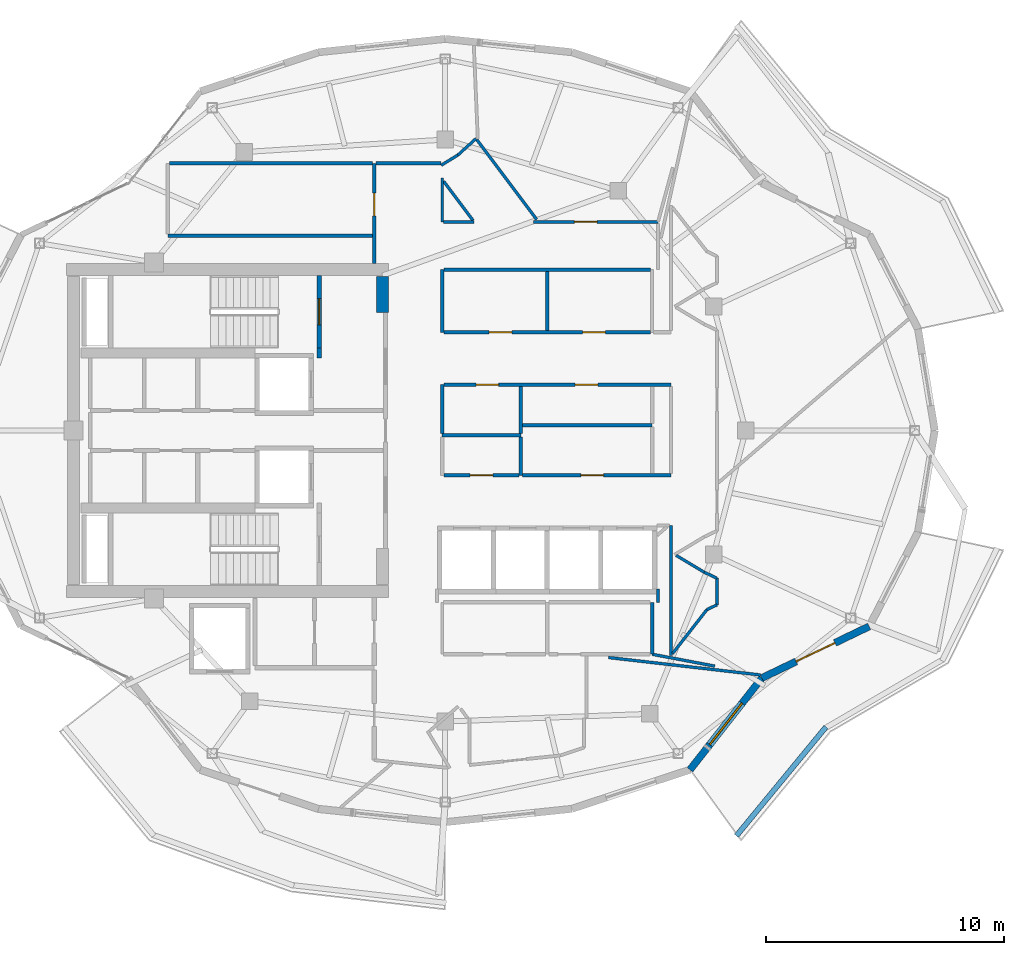
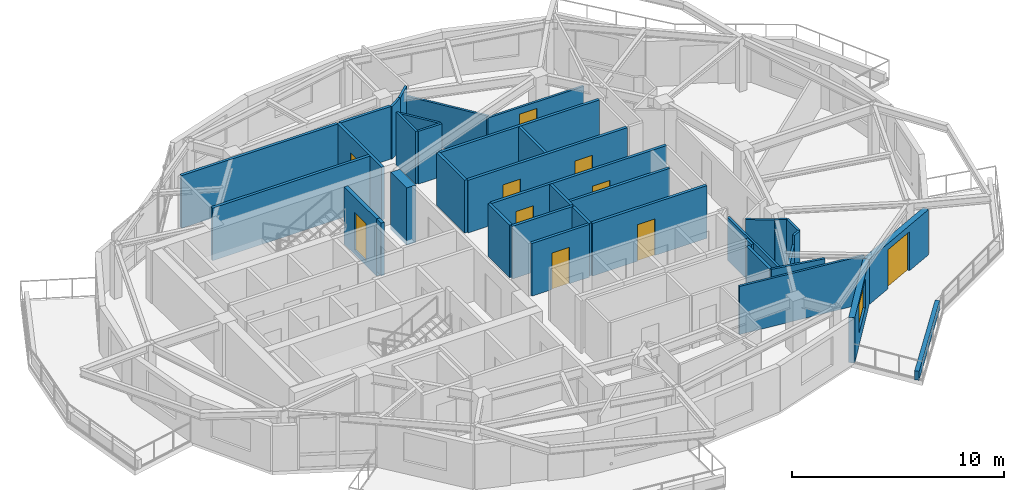
# One storey, part 10 of 14: 39 walls, 10 doors, 1 window, 11 openings.
"""IFC4 building model written with IfcOpenShell, lengths in metres."""

import ifcopenshell
import ifcopenshell.guid

model = None  # the IFC model being written
_history = None  # IfcOwnerHistory: only IFC2X3 demands one
_inside = {}  # id of a spatial element -> (the spatial element, [elements in it])
_under = {}  # id of a project, library or spatial element -> (it, [spatial elements below it])
_declared = {}  # id of a project -> (the project, [libraries it declares])
_typed = {}  # id of a type object -> (the type object, [elements of that type])
_made_of = {}  # id of a material, layer set ... -> (it, [elements and type objects made of it])


def new_model(schema):
    """Start an empty IFC model of exactly this schema.

    Asked for "IFC4X3", IfcOpenShell would pick the latest addendum, in which some entities
    have other attributes; the version numbers below select the first issue.
    IFC2X3 requires an IfcOwnerHistory on every rooted entity: one is made here for all.
    """
    global model, _history
    if schema == "IFC4X3":
        model = ifcopenshell.file(schema_version=(4, 3, 0, 0))
    else:
        model = ifcopenshell.file(schema=schema)
    _inside.clear()
    _under.clear()
    _declared.clear()
    _typed.clear()
    _made_of.clear()
    _history = None
    if model.schema == "IFC2X3":
        org = make("IfcOrganization", Name="unknown")
        user = make(
            "IfcPersonAndOrganization",
            ThePerson=make("IfcPerson", FamilyName="unknown"),
            TheOrganization=org,
        )
        app = make(
            "IfcApplication",
            ApplicationDeveloper=org,
            Version="unknown",
            ApplicationFullName="unknown",
            ApplicationIdentifier="unknown",
        )
        _history = make(
            "IfcOwnerHistory",
            OwningUser=user,
            OwningApplication=app,
            ChangeAction="ADDED",
            CreationDate=0,
        )
    return model


def make(cls, **values):
    """One entity of the class cls with the attributes given. An attribute that is None is left unset."""
    return model.create_entity(
        cls, **{name: value for name, value in values.items() if value is not None}
    )


def rooted(cls, **values):
    """An entity with a GlobalId (a new one), such as an element, a storey or a relation."""
    return make(cls, GlobalId=ifcopenshell.guid.new(), OwnerHistory=_history, **values)


def si_unit(unit_type, name, prefix=None):
    """IfcSIUnit, for example si_unit("LENGTHUNIT", "METRE", prefix="MILLI")."""
    return make("IfcSIUnit", UnitType=unit_type, Prefix=prefix, Name=name)


def assignment(units):
    """IfcUnitAssignment: the units of a project."""
    return None if units is None else make("IfcUnitAssignment", Units=units)


def point(xyz):
    """IfcCartesianPoint."""
    return None if xyz is None else make("IfcCartesianPoint", Coordinates=xyz)


def direction(xyz):
    """IfcDirection."""
    return None if xyz is None else make("IfcDirection", DirectionRatios=xyz)


def frame(location, z_axis=None, x_axis=None):
    """IfcAxis2Placement3D, a coordinate frame: its origin and axes. An axis left out is left unset."""
    return make(
        "IfcAxis2Placement3D",
        Location=point(location),
        Axis=direction(z_axis),
        RefDirection=direction(x_axis),
    )


def frame_2d(location, x_axis=None):
    """IfcAxis2Placement2D, a coordinate frame in the plane: its origin and x axis."""
    return make(
        "IfcAxis2Placement2D", Location=point(location), RefDirection=direction(x_axis)
    )


def origin():
    """The frame at (0, 0, 0) with its axes left unset."""
    return frame((0.0, 0.0, 0.0))


def place(relative_to, where):
    """IfcLocalPlacement: puts the frame where relative to a parent placement (None: the world)."""
    return make(
        "IfcLocalPlacement", PlacementRelTo=relative_to, RelativePlacement=where
    )


def context(
    kind, dimensions, precision=None, world=None, true_north=None, identifier=None
):
    """IfcGeometricRepresentationContext, for example the 3D "Model" context."""
    return make(
        "IfcGeometricRepresentationContext",
        ContextIdentifier=identifier,
        ContextType=kind,
        CoordinateSpaceDimension=dimensions,
        Precision=precision,
        WorldCoordinateSystem=world,
        TrueNorth=true_north,
    )


def subcontext(parent, identifier, kind, view, scale=None):
    """IfcGeometricRepresentationSubContext, for example "Body" below "Model"."""
    return make(
        "IfcGeometricRepresentationSubContext",
        ContextIdentifier=identifier,
        ContextType=kind,
        ParentContext=parent,
        TargetScale=scale,
        TargetView=view,
    )


def project(units=None, contexts=None):
    """IfcProject with its units and contexts."""
    return rooted(
        "IfcProject",
        Name="project",
        RepresentationContexts=contexts,
        UnitsInContext=assignment(units),
    )


def spatial(cls, under=None, at=None, **own):
    """A site, building, storey or space (cls), placed at a placement, below another one or the project."""
    s = rooted(cls, ObjectPlacement=at, **own)
    if under is not None:
        _under.setdefault(under.id(), (under, []))[1].append(s)
    return s


def profile(cls, at=None, kind="AREA", **sizes):
    """A parametric profile (cls). Its sizes go by their IFC names, for example OverallWidth=200.0."""
    return make(cls, ProfileType=kind, Position=at, **sizes)


def rectangle(**sizes):
    """IfcRectangleProfileDef."""
    return profile("IfcRectangleProfileDef", **sizes)


def extrude(swept, where, along, depth):
    """IfcExtrudedAreaSolid: the profile swept, set in the frame where, extruded along a direction by depth."""
    return make(
        "IfcExtrudedAreaSolid",
        SweptArea=swept,
        Position=where,
        ExtrudedDirection=direction(along),
        Depth=depth,
    )


def shape(context_of_items, identifier, shape_type, items):
    """IfcShapeRepresentation: the items that make up one representation, for example the "Body"."""
    return make(
        "IfcShapeRepresentation",
        ContextOfItems=context_of_items,
        RepresentationIdentifier=identifier,
        RepresentationType=shape_type,
        Items=items,
    )


def material(Name=None, Category=None):
    """IfcMaterial."""
    return make("IfcMaterial", Name=Name, Category=Category)


def layer(
    of_material, thickness, ventilated=None, Name=None, Category=None, Priority=None
):
    """IfcMaterialLayer: one layer of a wall or slab, of a material (None: an air gap)."""
    return make(
        "IfcMaterialLayer",
        Material=of_material,
        LayerThickness=thickness,
        IsVentilated=ventilated,
        Name=Name,
        Category=Category,
        Priority=Priority,
    )


def layer_set(layers, Name=None):
    """IfcMaterialLayerSet."""
    return make("IfcMaterialLayerSet", MaterialLayers=layers, LayerSetName=Name)


def made_of(thing, what):
    """Note that an element or type object is made of a material, layer set ...; save() writes the relation."""
    if what is not None:
        _made_of.setdefault(what.id(), (what, []))[1].append(thing)
    return thing


def type_object(cls, material=None, **own):
    """A type object (cls), such as IfcWallType, which elements share."""
    return made_of(rooted(cls, **own), material)


def element(
    cls,
    number,
    at=None,
    inside=None,
    cuts=None,
    type_object=None,
    material=None,
    context=None,
    identifier="Body",
    shape_type=None,
    held_by="IfcProductDefinitionShape",
    body=None,
    shapes=None,
    **own,
):
    """One element of the class cls, such as IfcWall. Its Tag is "e" and its number.

    at: its placement. inside: the storey or other place that contains it. cuts: it is an
    opening in that element (IfcRelVoidsElement). A single representation is given by context,
    identifier, shape_type and body (its items); several are given by shapes. held_by: the class
    of the entity that holds the representations. save() writes the other relations.
    """
    e = rooted(cls, Tag="e%d" % number, ObjectPlacement=at, **own)
    if body is not None:
        shapes = [shape(context, identifier, shape_type, body)]
    if shapes is not None:
        e.Representation = make(held_by, Representations=shapes)
    if inside is not None:
        _inside.setdefault(inside.id(), (inside, []))[1].append(e)
    if cuts is not None:
        rooted(
            "IfcRelVoidsElement", RelatingBuildingElement=cuts, RelatedOpeningElement=e
        )
    if type_object is not None:
        _typed.setdefault(type_object.id(), (type_object, []))[1].append(e)
    return made_of(e, material)


def fill(opening, filler):
    """IfcRelFillsElement: the door or window that sits in an opening."""
    return rooted(
        "IfcRelFillsElement",
        RelatingOpeningElement=opening,
        RelatedBuildingElement=filler,
    )


def aggregate(whole, parts):
    """IfcRelAggregates: a whole, such as a stair, and the parts it consists of."""
    return rooted("IfcRelAggregates", RelatingObject=whole, RelatedObjects=parts)


def save(model, path):
    """Write the relations noted so far, then the file.

    IfcRelAggregates (storeys below a building ...), IfcRelContainedInSpatialStructure (elements
    in a storey), IfcRelDefinesByType, IfcRelAssociatesMaterial and IfcRelDeclares: one each for
    every whole, place, type object, material and project.
    """
    for whole, parts in _under.values():
        aggregate(whole, parts)
    for where, things in _inside.values():
        rooted(
            "IfcRelContainedInSpatialStructure",
            RelatedElements=things,
            RelatingStructure=where,
        )
    for kind, things in _typed.values():
        rooted("IfcRelDefinesByType", RelatedObjects=things, RelatingType=kind)
    for what, things in _made_of.values():
        rooted("IfcRelAssociatesMaterial", RelatedObjects=things, RelatingMaterial=what)
    for by, libraries in _declared.values():
        rooted("IfcRelDeclares", RelatingContext=by, RelatedDefinitions=libraries)
    model.write(path)


model = new_model("IFC4")

# Units and contexts
model_context = context("Model", 3, precision=1e-05, world=origin(), true_north=direction((0.0, 1.0)))
body_context = subcontext(model_context, "Body", "Model", "MODEL_VIEW")
ifc_project = project(units=[si_unit("LENGTHUNIT", "METRE"), si_unit("AREAUNIT", "SQUARE_METRE"), si_unit("VOLUMEUNIT", "CUBIC_METRE"), si_unit("PLANEANGLEUNIT", "RADIAN"), si_unit("MASSUNIT", "GRAM", prefix="KILO")], contexts=[model_context])

# Site, building, storey
site_placement = place(None, origin())
site = spatial("IfcSite", under=ifc_project, at=site_placement, CompositionType="ELEMENT")
building_placement = place(site_placement, origin())
building = spatial("IfcBuilding", under=site, at=building_placement, Name="Kolvaren Gate Tower and Convention Centre", CompositionType="ELEMENT")
storey_placement = place(building_placement, frame((0.0, 0.0, 259.10009765625)))
storey = spatial("IfcBuildingStorey", under=building, at=storey_placement, Name="L70", CompositionType="ELEMENT", Elevation=259.10009765625)

# Walls
ifc_material_1 = material(Name="Autoclaved Aerated Masonry Blockwork Class 4 (4.0 MPa)", Category="masonry")
ifc_layer_1 = layer(ifc_material_1, 0.179931640625)
ifc_layer_set_1 = layer_set([ifc_layer_1], Name="Autoclaved Aerated Masonry Blockwork Class 4 (4.0 MPa)")
wall_type_1 = type_object("IfcWallType", Name="ARCH-WL-COMP-180", PredefinedType="SOLIDWALL", material=ifc_layer_set_1)
wall_1_placement = place(storey_placement, frame((24.85009765625, 30.0400390625, 0.0), z_axis=(0.0, 0.0, 1.0), x_axis=(0.0, 1.0, 0.0)))
element("IfcWall", 1, at=wall_1_placement, inside=storey, type_object=wall_type_1, Name="Interior Partition WL-L70-INT-002", PredefinedType="SOLIDWALL", context=body_context, shape_type="SweptSolid", body=[
    extrude(rectangle(XDim=0.419921875, YDim=0.179931640625, at=frame_2d((0.2099609375, 0.0))), origin(), (0.0, 0.0, 1.0), 3.02978515625),
])
ifc_material_2 = material(Name="Fire-Rated Acoustic Gypsum Stud Partition", Category="gypsum")
ifc_layer_2 = layer(ifc_material_2, 0.1201171875)
ifc_layer_set_2 = layer_set([ifc_layer_2], Name="Fire-Rated Acoustic Gypsum Stud Partition")
wall_type_2 = type_object("IfcWallType", Name="ARCH-WL-PART-120", PredefinedType="PARTITIONING", material=ifc_layer_set_2)
wall_2_placement = place(storey_placement, frame((30.0, 35.75, 0.0), z_axis=(0.0, 0.0, 1.0), x_axis=(0.0, 1.0, 0.0)))
element("IfcWall", 2, at=wall_2_placement, inside=storey, type_object=wall_type_2, Name="Interior Partition WL-L70-INT-020", PredefinedType="PARTITIONING", context=body_context, shape_type="SweptSolid", body=[
    extrude(rectangle(XDim=1.8369140625, YDim=0.1201171875, at=frame_2d((0.91845703125, 0.0))), origin(), (0.0, 0.0, 1.0), 3.02978515625),
])
wall_3_placement = place(storey_placement, frame((29.9599609375, 38.123046875, 0.0), z_axis=(0.0, 0.0, 1.0), x_axis=(0.852506956574, 0.522715877885, 0.0)))
element("IfcWall", 3, at=wall_3_placement, inside=storey, type_object=wall_type_2, Name="Interior Partition WL-L70-INT-037", PredefinedType="PARTITIONING", context=body_context, shape_type="SweptSolid", body=[
    extrude(rectangle(XDim=0.81884765625, YDim=0.1201171875, at=frame_2d((0.409423828125, 0.0))), origin(), (0.0, 0.0, 1.0), 3.02978515625),
])
wall_4_placement = place(storey_placement, frame((30.657958984375, 38.551025390625, 0.0), z_axis=(0.0, 0.0, 1.0), x_axis=(0.74084279818, 0.671678456097, 0.0)))
element("IfcWall", 4, at=wall_4_placement, inside=storey, type_object=wall_type_2, Name="Interior Partition WL-L70-INT-038", PredefinedType="PARTITIONING", context=body_context, shape_type="SweptSolid", body=[
    extrude(rectangle(XDim=1.027099609375, YDim=0.1201171875, at=frame_2d((0.513671875, 0.0))), origin(), (0.0, 0.0, 1.0), 3.02978515625),
])
wall_5_placement = place(storey_placement, frame((31.456298828125, 39.191162109375, 0.0), z_axis=(0.0, 0.0, 1.0), x_axis=(0.600056078533, -0.799957938029, 0.0)))
element("IfcWall", 5, at=wall_5_placement, inside=storey, type_object=wall_type_2, Name="Interior Partition WL-L70-INT-039", PredefinedType="PARTITIONING", context=body_context, shape_type="SweptSolid", body=[
    extrude(rectangle(XDim=4.17919921875, YDim=0.1201171875, at=frame_2d((2.089599609375, 0.0))), origin(), (0.0, 0.0, 1.0), 2.477783203125),
])
wall_6_placement = place(storey_placement, frame((30.06201171875, 35.75, 0.0), z_axis=(0.0, 0.0, 1.0), x_axis=(1.0, 0.0, 0.0)))
element("IfcWall", 6, at=wall_6_placement, inside=storey, type_object=wall_type_2, Name="Interior Partition WL-L70-INT-040", PredefinedType="PARTITIONING", context=body_context, shape_type="SweptSolid", body=[
    extrude(rectangle(XDim=1.27490234375, YDim=0.1201171875, at=frame_2d((0.637451171875, 0.0))), origin(), (0.0, 0.0, 1.0), 3.02978515625),
])

# Wall, opening, door
wall_7_placement = place(storey_placement, frame((33.8330078125, 35.75, 0.0), z_axis=(0.0, 0.0, 1.0), x_axis=(1.0, 0.0, 0.0)))
wall_7 = element("IfcWall", 7, at=wall_7_placement, inside=storey, type_object=wall_type_2, Name="Interior Partition WL-L70-INT-041", PredefinedType="PARTITIONING", context=body_context, shape_type="SweptSolid", body=[
    extrude(rectangle(XDim=5.217041015625, YDim=0.1201171875, at=frame_2d((2.6083984375, 0.0))), origin(), (0.0, 0.0, 1.0), 2.477783203125),
])
opening_1_placement = place(wall_7_placement, frame((1.71337890625, 0.0, 0.0)))
opening_1 = element("IfcOpeningElement", 8, at=opening_1_placement, cuts=wall_7, Name="Opening DR-01", PredefinedType="OPENING", context=body_context, shape_type="SweptSolid", body=[
    extrude(rectangle(XDim=0.949951171875, YDim=2.10009765625, at=frame_2d((0.47509765625, 1.050048828125))), frame((0.0, 0.070068359375, 0.0), z_axis=(0.0, -1.0, 0.0), x_axis=(1.0, 0.0, 0.0)), (0.0, 0.0, 1.0), 0.14013671875),
])
ifc_material_3 = material(Name="Painted Architectural Steelwork ASTM A500 Grade C 345 MPa", Category="steel")
door_type_1 = type_object("IfcDoorType", Name="ARCH-DR-RISER-950", OperationType="SINGLE_SWING_RIGHT", PredefinedType="DOOR", material=ifc_material_3)
door_1_placement = place(opening_1_placement, origin())
door_1 = element("IfcDoor", 9, at=door_1_placement, inside=storey, type_object=door_type_1, Name="Crown Executive Office Door", OperationType="SINGLE_SWING_LEFT", OverallHeight=2.10009765625, OverallWidth=0.949951171875, PredefinedType="DOOR", context=body_context, shape_type="SweptSolid", body=[
    extrude(rectangle(XDim=0.949951171875, YDim=2.10009765625, at=frame_2d((0.47509765625, 1.050048828125))), frame((0.0, 0.02490234375, 0.0), z_axis=(0.0, -1.0, 0.0), x_axis=(1.0, 0.0, 0.0)), (0.0, 0.0, 1.0), 0.050048828125),
])
fill(opening_1, door_1)

# Walls
wall_8_placement = place(storey_placement, frame((39.050048828125, 19.800048828125, 0.0), z_axis=(0.0, 0.0, 1.0), x_axis=(0.0, 1.0, 0.0)))
element("IfcWall", 10, at=wall_8_placement, inside=storey, type_object=wall_type_2, Name="Interior Partition WL-L70-INT-042", PredefinedType="PARTITIONING", context=body_context, shape_type="SweptSolid", body=[
    extrude(rectangle(XDim=0.56005859375, YDim=0.1201171875, at=frame_2d((0.280029296875, 0.0))), origin(), (0.0, 0.0, 1.0), 3.02978515625),
])
wall_9_placement = place(storey_placement, frame((39.60009765625, 17.572998046875, 0.0), z_axis=(0.0, 0.0, 1.0), x_axis=(0.0, 1.0, 0.0)))
element("IfcWall", 11, at=wall_9_placement, inside=storey, type_object=wall_type_2, Name="Interior Partition WL-L70-INT-044", PredefinedType="PARTITIONING", context=body_context, shape_type="SweptSolid", body=[
    extrude(rectangle(XDim=5.447021484375, YDim=0.1201171875, at=frame_2d((2.7236328125, 0.0))), origin(), (0.0, 0.0, 1.0), 2.477783203125),
])
wall_10_placement = place(storey_placement, frame((41.52001953125, 19.69091796875, 0.0), z_axis=(0.0, 0.0, 1.0), x_axis=(0.0, 1.0, 0.0)))
element("IfcWall", 12, at=wall_10_placement, inside=storey, type_object=wall_type_2, Name="Interior Partition WL-L70-INT-049", PredefinedType="PARTITIONING", context=body_context, shape_type="SweptSolid", body=[
    extrude(rectangle(XDim=1.115966796875, YDim=0.1201171875, at=frame_2d((0.55810546875, 0.0))), origin(), (0.0, 0.0, 1.0), 3.02978515625),
])
wall_11_placement = place(storey_placement, frame((39.810302734375, 21.763916015625, 0.0), z_axis=(0.0, 0.0, 1.0), x_axis=(0.858011245414, -0.513630901273, 0.0)))
element("IfcWall", 13, at=wall_11_placement, inside=storey, type_object=wall_type_2, Name="Interior Partition WL-L70-INT-058", PredefinedType="PARTITIONING", context=body_context, shape_type="SweptSolid", body=[
    extrude(rectangle(XDim=1.370361328125, YDim=0.1201171875, at=frame_2d((0.68505859375, 0.0))), origin(), (0.0, 0.0, 1.0), 3.02978515625),
])
wall_12_placement = place(storey_placement, frame((40.986083984375, 21.06005859375, 0.0), z_axis=(0.0, 0.0, 1.0), x_axis=(0.90356951601, -0.428441512621, 0.0)))
element("IfcWall", 14, at=wall_12_placement, inside=storey, type_object=wall_type_2, Name="Interior Partition WL-L70-INT-059", PredefinedType="PARTITIONING", context=body_context, shape_type="SweptSolid", body=[
    extrude(rectangle(XDim=0.5908203125, YDim=0.1201171875, at=frame_2d((0.29541015625, 0.0))), origin(), (0.0, 0.0, 1.0), 3.02978515625),
])
wall_13_placement = place(storey_placement, frame((41.10009765625, 19.489990234375, 0.0), z_axis=(0.0, 0.0, 1.0), x_axis=(0.902054328377, 0.431622507125, 0.0)))
element("IfcWall", 15, at=wall_13_placement, inside=storey, type_object=wall_type_2, Name="Interior Partition WL-L70-INT-060", PredefinedType="PARTITIONING", context=body_context, shape_type="SweptSolid", body=[
    extrude(rectangle(XDim=0.465576171875, YDim=0.1201171875, at=frame_2d((0.23291015625, 0.0))), origin(), (0.0, 0.0, 1.0), 3.02978515625),
])
wall_14_placement = place(storey_placement, frame((39.662109375, 17.652099609375, 0.0), z_axis=(0.0, 0.0, 1.0), x_axis=(0.616212345115, 0.78758005671, 0.0)))
element("IfcWall", 16, at=wall_14_placement, inside=storey, type_object=wall_type_2, Name="Interior Partition WL-L70-INT-061", PredefinedType="PARTITIONING", context=body_context, shape_type="SweptSolid", body=[
    extrude(rectangle(XDim=2.33349609375, YDim=0.1201171875, at=frame_2d((1.166748046875, 0.0))), origin(), (0.0, 0.0, 1.0), 2.477783203125),
])
wall_15_placement = place(storey_placement, frame((30.06201171875, 37.450927734375, 0.0), z_axis=(0.0, 0.0, 1.0), x_axis=(0.599790195836, -0.800157310145, 0.0)))
element("IfcWall", 17, at=wall_15_placement, inside=storey, type_object=wall_type_2, Name="Interior Partition WL-L70-INT-072", PredefinedType="PARTITIONING", context=body_context, shape_type="SweptSolid", body=[
    extrude(rectangle(XDim=2.04833984375, YDim=0.1201171875, at=frame_2d((1.024169921875, 0.0))), origin(), (0.0, 0.0, 1.0), 3.02978515625),
])
wall_16_placement = place(storey_placement, frame((36.972412109375, 17.48291015625, 0.0), z_axis=(0.0, 0.0, 1.0), x_axis=(0.993465006101, -0.114137117773, 0.0)))
element("IfcWall", 18, at=wall_16_placement, inside=storey, type_object=wall_type_2, Name="Interior Partition WL-L70-INT-077", PredefinedType="PARTITIONING", context=body_context, shape_type="SweptSolid", body=[
    extrude(rectangle(XDim=6.412841796875, YDim=0.1201171875, at=frame_2d((3.20654296875, 0.0))), origin(), (0.0, 0.0, 1.0), 2.77001953125),
])
wall_17_placement = place(storey_placement, frame((38.800048828125, 17.6201171875, 0.0), z_axis=(0.0, 0.0, 1.0), x_axis=(0.982513005499, -0.186193968823, 0.0)))
element("IfcWall", 19, at=wall_17_placement, inside=storey, type_object=wall_type_2, Name="Interior Partition WL-L70-INT-078", PredefinedType="PARTITIONING", context=body_context, shape_type="SweptSolid", body=[
    extrude(rectangle(XDim=2.67626953125, YDim=0.1201171875, at=frame_2d((1.338134765625, 0.0))), origin(), (0.0, 0.0, 1.0), 3.02978515625),
])
ifc_material_4 = material(Name="Piedmont Cream Honed Limestone Cladding", Category="masonry")
ifc_layer_3 = layer(ifc_material_4, 0.219970703125)
ifc_layer_set_3 = layer_set([ifc_layer_3], Name="Piedmont Cream Honed Limestone Cladding")
wall_type_3 = type_object("IfcWallType", Name="ARCH-WL-PLANTER-220", PredefinedType="PARAPET", material=ifc_layer_set_3)
wall_18_placement = place(storey_placement, frame((42.338623046875, 10.010009765625, 0.0), z_axis=(0.0, 0.0, 1.0), x_axis=(0.635450933862, 0.772141250455, 0.0)))
element("IfcWall", 20, at=wall_18_placement, inside=storey, type_object=wall_type_3, Name="Vertical-Forest Balcony Stone Planter Kerb PK-L70-4.1", PredefinedType="PARAPET", context=body_context, shape_type="SweptSolid", body=[
    extrude(rectangle(XDim=5.91015625, YDim=0.219970703125, at=frame_2d((2.955078125, 0.0))), origin(), (0.0, 0.0, 1.0), 0.52001953125),
])

# Wall, opening, window
ifc_layer_4 = layer(ifc_material_4, 0.300048828125)
ifc_layer_set_4 = layer_set([ifc_layer_4], Name="Piedmont Cream Honed Limestone Cladding")
wall_type_4 = type_object("IfcWallType", Name="ARCH-WL-STONE-300", PredefinedType="SOLIDWALL", material=ifc_layer_set_4)
wall_19_placement = place(storey_placement, frame((40.390625, 12.775390625, 0.0), z_axis=(0.0, 0.0, 1.0), x_axis=(0.616413297421, 0.78742278781, 0.0)))
wall_19 = element("IfcWall", 21, at=wall_19_placement, inside=storey, type_object=wall_type_4, Name="Tower L70 Honed Stone Spandrel Wall EW-20", PredefinedType="SOLIDWALL", context=body_context, shape_type="SweptSolid", body=[
    extrude(rectangle(XDim=4.88818359375, YDim=0.300048828125, at=frame_2d((2.444091796875, 0.0))), origin(), (0.0, 0.0, 1.0), 2.60498046875),
])
opening_2_placement = place(wall_19_placement, frame((1.343994140625, 0.0, 0.719970703125)))
opening_2 = element("IfcOpeningElement", 22, at=opening_2_placement, cuts=wall_19, Name="Opening W-03", PredefinedType="OPENING", context=body_context, shape_type="SweptSolid", body=[
    extrude(rectangle(XDim=2.199951171875, YDim=1.64990234375, at=frame_2d((1.10009765625, 0.824951171875))), frame((0.0, 0.159912109375, 0.0), z_axis=(0.0, -1.0, 0.0), x_axis=(1.0, 0.0, 0.0)), (0.0, 0.0, 1.0), 0.320068359375),
])
ifc_material_5 = material(Name="Low-E Triple Insulated Glazing Unit 44 mm", Category="glass")
window_type = type_object("IfcWindowType", Name="ARCH-WN-RES-2200", PartitioningType="SINGLE_PANEL", PredefinedType="WINDOW", material=ifc_material_5)
window_placement = place(opening_2_placement, origin())
window = element("IfcWindow", 23, at=window_placement, inside=storey, type_object=window_type, Name="Tower L70 Punched Stone Facade Window W-20", OverallHeight=1.64990234375, OverallWidth=2.199951171875, PartitioningType="SINGLE_PANEL", PredefinedType="WINDOW", context=body_context, shape_type="SweptSolid", body=[
    extrude(rectangle(XDim=2.199951171875, YDim=1.64990234375, at=frame_2d((1.10009765625, 0.824951171875))), frame((0.0, 0.030029296875, 0.0), z_axis=(0.0, -1.0, 0.0), x_axis=(1.0, 0.0, 0.0)), (0.0, 0.0, 1.0), 0.06005859375),
])
fill(opening_2, window)

# Wall, opening, door
wall_20_placement = place(storey_placement, frame((43.40380859375, 16.62451171875, 0.0), z_axis=(0.0, 0.0, 1.0), x_axis=(0.901346013132, 0.433099716706, 0.0)))
wall_20 = element("IfcWall", 24, at=wall_20_placement, inside=storey, type_object=wall_type_4, Name="Tower L70 Honed Stone Spandrel Wall EW-21", PredefinedType="SOLIDWALL", context=body_context, shape_type="SweptSolid", body=[
    extrude(rectangle(XDim=4.994384765625, YDim=0.300048828125, at=frame_2d((2.4970703125, 0.0))), origin(), (0.0, 0.0, 1.0), 2.60498046875),
])
opening_3_placement = place(wall_20_placement, frame((1.596923828125, 0.0, 0.0)))
opening_3 = element("IfcOpeningElement", 25, at=opening_3_placement, cuts=wall_20, Name="Opening DB-01", PredefinedType="OPENING", context=body_context, shape_type="SweptSolid", body=[
    extrude(rectangle(XDim=1.800048828125, YDim=2.25, at=frame_2d((0.89990234375, 1.125))), frame((0.0, 0.159912109375, 0.0), z_axis=(0.0, -1.0, 0.0), x_axis=(1.0, 0.0, 0.0)), (0.0, 0.0, 1.0), 0.320068359375),
])
ifc_material_6 = material(Name="Anodized Architectural Aluminium Alloy 6063-T6", Category="aluminium")
door_type_2 = type_object("IfcDoorType", Name="ARCH-DR-BALC-1800", OperationType="SLIDING_TO_LEFT", PredefinedType="DOOR", material=ifc_material_6)
door_2_placement = place(opening_3_placement, frame((1.800048828125, 0.0, 0.0), z_axis=(0.0, 0.0, 1.0), x_axis=(-1.0, 0.0, 0.0)))
door_2 = element("IfcDoor", 26, at=door_2_placement, inside=storey, type_object=door_type_2, Name="Planted Sky Terrace Access Door DB-L70-21", OperationType="SLIDING_TO_LEFT", OverallHeight=2.25, OverallWidth=1.800048828125, PredefinedType="DOOR", context=body_context, shape_type="SweptSolid", body=[
    extrude(rectangle(XDim=1.800048828125, YDim=2.25, at=frame_2d((0.89990234375, 1.125))), frame((0.0, 0.02490234375, 0.0), z_axis=(0.0, -1.0, 0.0), x_axis=(1.0, 0.0, 0.0)), (0.0, 0.0, 1.0), 0.050048828125),
])
fill(opening_3, door_2)

ifc_material_7 = material(Name="Moisture-Resistant Cement-Board Acoustic Partition", Category="gypsum")
ifc_layer_5 = layer(ifc_material_7, 0.14990234375)
ifc_layer_set_5 = layer_set([ifc_layer_5], Name="Moisture-Resistant Cement-Board Acoustic Partition")
wall_type_5 = type_object("IfcWallType", Name="ARCH-WL-WET-150", PredefinedType="PARTITIONING", material=ifc_layer_set_5)
wall_21_placement = place(storey_placement, frame((27.14990234375, 34.001953125, 0.0), z_axis=(0.0, 0.0, 1.0), x_axis=(0.0, 1.0, 0.0)))
wall_21 = element("IfcWall", 27, at=wall_21_placement, inside=storey, type_object=wall_type_5, Name="Interior Partition WL-L70-INT-015", PredefinedType="PARTITIONING", context=body_context, shape_type="SweptSolid", body=[
    extrude(rectangle(XDim=4.197998046875, YDim=0.14990234375, at=frame_2d((2.09912109375, 0.0))), origin(), (0.0, 0.0, 1.0), 3.02978515625),
])
opening_4_placement = place(wall_21_placement, frame((1.998046875, 0.0, 0.0)))
opening_4 = element("IfcOpeningElement", 28, at=opening_4_placement, cuts=wall_21, Name="Opening DR-01", PredefinedType="OPENING", context=body_context, shape_type="SweptSolid", body=[
    extrude(rectangle(XDim=0.949951171875, YDim=2.10009765625, at=frame_2d((0.47509765625, 1.050048828125))), frame((0.0, 0.0849609375, 0.0), z_axis=(0.0, -1.0, 0.0), x_axis=(1.0, 0.0, 0.0)), (0.0, 0.0, 1.0), 0.169921875),
])
door_3_placement = place(opening_4_placement, origin())
door_3 = element("IfcDoor", 29, at=door_3_placement, inside=storey, type_object=door_type_1, Name="Reclaimed North Resident Store Door", OperationType="SINGLE_SWING_LEFT", OverallHeight=2.10009765625, OverallWidth=0.949951171875, PredefinedType="DOOR", context=body_context, shape_type="SweptSolid", body=[
    extrude(rectangle(XDim=0.949951171875, YDim=2.10009765625, at=frame_2d((0.47509765625, 1.050048828125))), frame((0.0, 0.02490234375, 0.0), z_axis=(0.0, -1.0, 0.0), x_axis=(1.0, 0.0, 0.0)), (0.0, 0.0, 1.0), 0.050048828125),
])
fill(opening_4, door_3)

# Walls
wall_22_placement = place(storey_placement, frame((30.0, 26.800048828125, 0.0), z_axis=(0.0, 0.0, 1.0), x_axis=(1.0, 0.0, 0.0)))
element("IfcWall", 30, at=wall_22_placement, inside=storey, type_object=wall_type_5, Name="Interior Partition WL-L70-INT-016", PredefinedType="PARTITIONING", context=body_context, shape_type="SweptSolid", body=[
    extrude(rectangle(XDim=3.300048828125, YDim=0.14990234375, at=frame_2d((1.64990234375, 0.0))), origin(), (0.0, 0.0, 1.0), 3.02978515625),
])
wall_23_placement = place(storey_placement, frame((30.0, 26.876953125, 0.0), z_axis=(0.0, 0.0, 1.0), x_axis=(0.0, 1.0, 0.0)))
element("IfcWall", 31, at=wall_23_placement, inside=storey, type_object=wall_type_5, Name="Interior Partition WL-L70-INT-018 (2)", PredefinedType="PARTITIONING", context=body_context, shape_type="SweptSolid", body=[
    extrude(rectangle(XDim=2.04296875, YDim=0.14990234375, at=frame_2d((1.021484375, 0.0))), origin(), (0.0, 0.0, 1.0), 3.02978515625),
])
wall_24_placement = place(storey_placement, frame((30.0, 31.1201171875, 0.0), z_axis=(0.0, 0.0, 1.0), x_axis=(0.0, 1.0, 0.0)))
element("IfcWall", 32, at=wall_24_placement, inside=storey, type_object=wall_type_5, Name="Interior Partition WL-L70-INT-019", PredefinedType="PARTITIONING", context=body_context, shape_type="SweptSolid", body=[
    extrude(rectangle(XDim=2.6298828125, YDim=0.14990234375, at=frame_2d((1.31494140625, 0.0))), origin(), (0.0, 0.0, 1.0), 3.02978515625),
])

# Wall, openings, doors
wall_25_placement = place(storey_placement, frame((30.076904296875, 28.919921875, 0.0), z_axis=(0.0, 0.0, 1.0), x_axis=(1.0, 0.0, 0.0)))
wall_25 = element("IfcWall", 33, at=wall_25_placement, inside=storey, type_object=wall_type_5, Name="Interior Partition WL-L70-INT-021", PredefinedType="PARTITIONING", context=body_context, shape_type="SweptSolid", body=[
    extrude(rectangle(XDim=9.523193359375, YDim=0.14990234375, at=frame_2d((4.76171875, 0.0))), origin(), (0.0, 0.0, 1.0), 3.02978515625),
])
opening_5_placement = place(wall_25_placement, frame((1.341552734375, 0.0, 0.0)))
opening_5 = element("IfcOpeningElement", 34, at=opening_5_placement, cuts=wall_25, Name="Opening DR-01", PredefinedType="OPENING", context=body_context, shape_type="SweptSolid", body=[
    extrude(rectangle(XDim=0.949951171875, YDim=2.10009765625, at=frame_2d((0.47509765625, 1.050048828125))), frame((0.0, 0.0849609375, 0.0), z_axis=(0.0, -1.0, 0.0), x_axis=(1.0, 0.0, 0.0)), (0.0, 0.0, 1.0), 0.169921875),
])
opening_6_placement = place(wall_25_placement, frame((5.498046875, 0.0, 0.0)))
opening_6 = element("IfcOpeningElement", 35, at=opening_6_placement, cuts=wall_25, Name="Opening DR-01", PredefinedType="OPENING", context=body_context, shape_type="SweptSolid", body=[
    extrude(rectangle(XDim=0.949951171875, YDim=2.10009765625, at=frame_2d((0.47509765625, 1.050048828125))), frame((0.0, 0.0849609375, 0.0), z_axis=(0.0, -1.0, 0.0), x_axis=(1.0, 0.0, 0.0)), (0.0, 0.0, 1.0), 0.169921875),
])
door_4_placement = place(opening_5_placement, origin())
door_4 = element("IfcDoor", 36, at=door_4_placement, inside=storey, type_object=door_type_1, Name="Accessible North Washroom Door", OperationType="SINGLE_SWING_LEFT", OverallHeight=2.10009765625, OverallWidth=0.949951171875, PredefinedType="DOOR", context=body_context, shape_type="SweptSolid", body=[
    extrude(rectangle(XDim=0.949951171875, YDim=2.10009765625, at=frame_2d((0.47509765625, 1.050048828125))), frame((0.0, 0.02490234375, 0.0), z_axis=(0.0, -1.0, 0.0), x_axis=(1.0, 0.0, 0.0)), (0.0, 0.0, 1.0), 0.050048828125),
])
fill(opening_5, door_4)
door_5_placement = place(opening_6_placement, origin())
door_5 = element("IfcDoor", 37, at=door_5_placement, inside=storey, type_object=door_type_1, Name="Floor Janitor and Supply Store Door", OperationType="SINGLE_SWING_LEFT", OverallHeight=2.10009765625, OverallWidth=0.949951171875, PredefinedType="DOOR", context=body_context, shape_type="SweptSolid", body=[
    extrude(rectangle(XDim=0.949951171875, YDim=2.10009765625, at=frame_2d((0.47509765625, 1.050048828125))), frame((0.0, 0.02490234375, 0.0), z_axis=(0.0, -1.0, 0.0), x_axis=(1.0, 0.0, 0.0)), (0.0, 0.0, 1.0), 0.050048828125),
])
fill(opening_6, door_5)

# Walls
wall_26_placement = place(storey_placement, frame((33.300048828125, 25.1201171875, 0.0), z_axis=(0.0, 0.0, 1.0), x_axis=(0.0, 1.0, 0.0)))
element("IfcWall", 38, at=wall_26_placement, inside=storey, type_object=wall_type_5, Name="Interior Partition WL-L70-INT-022", PredefinedType="PARTITIONING", context=body_context, shape_type="SweptSolid", body=[
    extrude(rectangle(XDim=1.602783203125, YDim=0.14990234375, at=frame_2d((0.80126953125, 0.0))), origin(), (0.0, 0.0, 1.0), 3.02978515625),
])
wall_27_placement = place(storey_placement, frame((33.300048828125, 26.876953125, 0.0), z_axis=(0.0, 0.0, 1.0), x_axis=(0.0, 1.0, 0.0)))
element("IfcWall", 39, at=wall_27_placement, inside=storey, type_object=wall_type_5, Name="Interior Partition WL-L70-INT-022 (2)", PredefinedType="PARTITIONING", context=body_context, shape_type="SweptSolid", body=[
    extrude(rectangle(XDim=1.966064453125, YDim=0.14990234375, at=frame_2d((0.98291015625, 0.0))), origin(), (0.0, 0.0, 1.0), 3.02978515625),
])

# Wall, opening, door
wall_28_placement = place(storey_placement, frame((30.076904296875, 25.1201171875, 0.0), z_axis=(0.0, 0.0, 1.0), x_axis=(1.0, 0.0, 0.0)))
wall_28 = element("IfcWall", 40, at=wall_28_placement, inside=storey, type_object=wall_type_5, Name="Interior Partition WL-L70-INT-023", PredefinedType="PARTITIONING", context=body_context, shape_type="SweptSolid", body=[
    extrude(rectangle(XDim=3.14599609375, YDim=0.14990234375, at=frame_2d((1.572998046875, 0.0))), origin(), (0.0, 0.0, 1.0), 3.02978515625),
])
opening_7_placement = place(wall_28_placement, frame((1.097900390625, 0.0, 0.0)))
opening_7 = element("IfcOpeningElement", 41, at=opening_7_placement, cuts=wall_28, Name="Opening DR-01", PredefinedType="OPENING", context=body_context, shape_type="SweptSolid", body=[
    extrude(rectangle(XDim=0.949951171875, YDim=2.10009765625, at=frame_2d((0.47509765625, 1.050048828125))), frame((0.0, 0.0849609375, 0.0), z_axis=(0.0, -1.0, 0.0), x_axis=(1.0, 0.0, 0.0)), (0.0, 0.0, 1.0), 0.169921875),
])
door_6_placement = place(opening_7_placement, origin())
door_6 = element("IfcDoor", 42, at=door_6_placement, inside=storey, type_object=door_type_1, Name="South Visitor Washroom Door", OperationType="SINGLE_SWING_RIGHT", OverallHeight=2.10009765625, OverallWidth=0.949951171875, PredefinedType="DOOR", context=body_context, shape_type="SweptSolid", body=[
    extrude(rectangle(XDim=0.949951171875, YDim=2.10009765625, at=frame_2d((0.47509765625, 1.050048828125))), frame((0.0, 0.02490234375, 0.0), z_axis=(0.0, -1.0, 0.0), x_axis=(1.0, 0.0, 0.0)), (0.0, 0.0, 1.0), 0.050048828125),
])
fill(opening_7, door_6)

wall_29_placement = place(storey_placement, frame((33.376953125, 25.1201171875, 0.0), z_axis=(0.0, 0.0, 1.0), x_axis=(1.0, 0.0, 0.0)))
wall_29 = element("IfcWall", 43, at=wall_29_placement, inside=storey, type_object=wall_type_5, Name="Interior Partition WL-L70-INT-023 (2)", PredefinedType="PARTITIONING", context=body_context, shape_type="SweptSolid", body=[
    extrude(rectangle(XDim=6.22314453125, YDim=0.14990234375, at=frame_2d((3.111572265625, 0.0))), origin(), (0.0, 0.0, 1.0), 3.02978515625),
])
opening_8_placement = place(wall_29_placement, frame((2.44140625, 0.0, 0.0)))
opening_8 = element("IfcOpeningElement", 44, at=opening_8_placement, cuts=wall_29, Name="Opening DR-01", PredefinedType="OPENING", context=body_context, shape_type="SweptSolid", body=[
    extrude(rectangle(XDim=0.949951171875, YDim=2.10009765625, at=frame_2d((0.47509765625, 1.050048828125))), frame((0.0, 0.0849609375, 0.0), z_axis=(0.0, -1.0, 0.0), x_axis=(1.0, 0.0, 0.0)), (0.0, 0.0, 1.0), 0.169921875),
])
door_7_placement = place(opening_8_placement, origin())
door_7 = element("IfcDoor", 45, at=door_7_placement, inside=storey, type_object=door_type_1, Name="Floor Coffee Pantry Door", OperationType="SINGLE_SWING_RIGHT", OverallHeight=2.10009765625, OverallWidth=0.949951171875, PredefinedType="DOOR", context=body_context, shape_type="SweptSolid", body=[
    extrude(rectangle(XDim=0.949951171875, YDim=2.10009765625, at=frame_2d((0.47509765625, 1.050048828125))), frame((0.0, 0.02490234375, 0.0), z_axis=(0.0, -1.0, 0.0), x_axis=(1.0, 0.0, 0.0)), (0.0, 0.0, 1.0), 0.050048828125),
])
fill(opening_8, door_7)

# Walls
wall_30_placement = place(storey_placement, frame((33.376953125, 27.219970703125, 0.0), z_axis=(0.0, 0.0, 1.0), x_axis=(1.0, 0.0, 0.0)))
element("IfcWall", 46, at=wall_30_placement, inside=storey, type_object=wall_type_5, Name="Interior Partition WL-L70-INT-024", PredefinedType="PARTITIONING", context=body_context, shape_type="SweptSolid", body=[
    extrude(rectangle(XDim=5.423095703125, YDim=0.14990234375, at=frame_2d((2.71142578125, 0.0))), origin(), (0.0, 0.0, 1.0), 3.02978515625),
])
wall_31_placement = place(storey_placement, frame((38.800048828125, 17.6201171875, 0.0), z_axis=(0.0, 0.0, 1.0), x_axis=(0.0, 1.0, 0.0)))
element("IfcWall", 47, at=wall_31_placement, inside=storey, type_object=wall_type_5, Name="Interior Partition WL-L70-INT-025", PredefinedType="PARTITIONING", context=body_context, shape_type="SweptSolid", body=[
    extrude(rectangle(XDim=2.179931640625, YDim=0.14990234375, at=frame_2d((1.08984375, 0.0))), origin(), (0.0, 0.0, 1.0), 3.02978515625),
])

# Wall, openings, doors
wall_32_placement = place(storey_placement, frame((30.076904296875, 31.1201171875, 0.0), z_axis=(0.0, 0.0, 1.0), x_axis=(1.0, 0.0, 0.0)))
wall_32 = element("IfcWall", 48, at=wall_32_placement, inside=storey, type_object=wall_type_5, Name="Interior Partition WL-L70-INT-028", PredefinedType="PARTITIONING", context=body_context, shape_type="SweptSolid", body=[
    extrude(rectangle(XDim=8.6611328125, YDim=0.14990234375, at=frame_2d((4.33056640625, 0.0))), origin(), (0.0, 0.0, 1.0), 3.02978515625),
])
opening_9_placement = place(wall_32_placement, frame((1.8916015625, 0.0, 0.0)))
opening_9 = element("IfcOpeningElement", 49, at=opening_9_placement, cuts=wall_32, Name="Opening DR-01", PredefinedType="OPENING", context=body_context, shape_type="SweptSolid", body=[
    extrude(rectangle(XDim=0.949951171875, YDim=2.10009765625, at=frame_2d((0.47509765625, 1.050048828125))), frame((0.0, 0.0849609375, 0.0), z_axis=(0.0, -1.0, 0.0), x_axis=(1.0, 0.0, 0.0)), (0.0, 0.0, 1.0), 0.169921875),
])
opening_10_placement = place(wall_32_placement, frame((5.81201171875, 0.0, 0.0)))
opening_10 = element("IfcOpeningElement", 50, at=opening_10_placement, cuts=wall_32, Name="Opening DR-01", PredefinedType="OPENING", context=body_context, shape_type="SweptSolid", body=[
    extrude(rectangle(XDim=0.949951171875, YDim=2.10009765625, at=frame_2d((0.47509765625, 1.050048828125))), frame((0.0, 0.0849609375, 0.0), z_axis=(0.0, -1.0, 0.0), x_axis=(1.0, 0.0, 0.0)), (0.0, 0.0, 1.0), 0.169921875),
])
door_8_placement = place(opening_9_placement, origin())
door_8 = element("IfcDoor", 51, at=door_8_placement, inside=storey, type_object=door_type_1, Name="Valet and Linen Store Door", OperationType="SINGLE_SWING_LEFT", OverallHeight=2.10009765625, OverallWidth=0.949951171875, PredefinedType="DOOR", context=body_context, shape_type="SweptSolid", body=[
    extrude(rectangle(XDim=0.949951171875, YDim=2.10009765625, at=frame_2d((0.47509765625, 1.050048828125))), frame((0.0, 0.02490234375, 0.0), z_axis=(0.0, -1.0, 0.0), x_axis=(1.0, 0.0, 0.0)), (0.0, 0.0, 1.0), 0.050048828125),
])
fill(opening_9, door_8)
door_9_placement = place(opening_10_placement, origin())
door_9 = element("IfcDoor", 52, at=door_9_placement, inside=storey, type_object=door_type_1, Name="Ice and Beverage Pantry Door", OperationType="SINGLE_SWING_RIGHT", OverallHeight=2.10009765625, OverallWidth=0.949951171875, PredefinedType="DOOR", context=body_context, shape_type="SweptSolid", body=[
    extrude(rectangle(XDim=0.949951171875, YDim=2.10009765625, at=frame_2d((0.47509765625, 1.050048828125))), frame((0.0, 0.02490234375, 0.0), z_axis=(0.0, -1.0, 0.0), x_axis=(1.0, 0.0, 0.0)), (0.0, 0.0, 1.0), 0.050048828125),
])
fill(opening_10, door_9)

# Walls
wall_33_placement = place(storey_placement, frame((30.076904296875, 33.75, 0.0), z_axis=(0.0, 0.0, 1.0), x_axis=(1.0, 0.0, 0.0)))
element("IfcWall", 53, at=wall_33_placement, inside=storey, type_object=wall_type_5, Name="Interior Partition WL-L70-INT-029", PredefinedType="PARTITIONING", context=body_context, shape_type="SweptSolid", body=[
    extrude(rectangle(XDim=8.6611328125, YDim=0.14990234375, at=frame_2d((4.33056640625, 0.0))), origin(), (0.0, 0.0, 1.0), 3.02978515625),
])
wall_34_placement = place(storey_placement, frame((34.39990234375, 31.197021484375, 0.0), z_axis=(0.0, 0.0, 1.0), x_axis=(0.0, 1.0, 0.0)))
element("IfcWall", 54, at=wall_34_placement, inside=storey, type_object=wall_type_5, Name="Interior Partition WL-L70-INT-031", PredefinedType="PARTITIONING", context=body_context, shape_type="SweptSolid", body=[
    extrude(rectangle(XDim=2.47607421875, YDim=0.14990234375, at=frame_2d((1.238037109375, 0.0))), origin(), (0.0, 0.0, 1.0), 3.02978515625),
])
wall_35_placement = place(storey_placement, frame((18.5, 35.159912109375, 0.0), z_axis=(0.0, 0.0, 1.0), x_axis=(1.0, 0.0, 0.0)))
element("IfcWall", 55, at=wall_35_placement, inside=storey, type_object=wall_type_5, Name="Interior Partition WL-L70-INT-034", PredefinedType="PARTITIONING", context=body_context, shape_type="SweptSolid", body=[
    extrude(rectangle(XDim=8.572998046875, YDim=0.14990234375, at=frame_2d((4.28662109375, 0.0))), origin(), (0.0, 0.0, 1.0), 3.02978515625),
])
wall_36_placement = place(storey_placement, frame((18.576904296875, 38.199951171875, 0.0), z_axis=(0.0, 0.0, 1.0), x_axis=(1.0, 0.0, 0.0)))
element("IfcWall", 56, at=wall_36_placement, inside=storey, type_object=wall_type_5, Name="Interior Partition WL-L70-INT-036", PredefinedType="PARTITIONING", context=body_context, shape_type="SweptSolid", body=[
    extrude(rectangle(XDim=8.49609375, YDim=0.14990234375, at=frame_2d((4.248046875, 0.0))), origin(), (0.0, 0.0, 1.0), 3.02978515625),
])
wall_37_placement = place(storey_placement, frame((27.22705078125, 38.199951171875, 0.0), z_axis=(0.0, 0.0, 1.0), x_axis=(1.0, 0.0, 0.0)))
element("IfcWall", 57, at=wall_37_placement, inside=storey, type_object=wall_type_5, Name="Interior Partition WL-L70-INT-036 (2)", PredefinedType="PARTITIONING", context=body_context, shape_type="SweptSolid", body=[
    extrude(rectangle(XDim=2.73291015625, YDim=0.14990234375, at=frame_2d((1.366455078125, 0.0))), origin(), (0.0, 0.0, 1.0), 3.02978515625),
])
ifc_material_8 = material(Name="Concrete C50/60", Category="concrete")
ifc_layer_6 = layer(ifc_material_8, 0.5)
ifc_layer_set_6 = layer_set([ifc_layer_6], Name="Concrete C50/60")
wall_type_6 = type_object("IfcWallType", Name="STR-WL-CORE-500", PredefinedType="SHEAR", material=ifc_layer_set_6)
wall_38_placement = place(storey_placement, frame((27.5, 31.949951171875, -0.27001953125), z_axis=(0.0, 0.0, 1.0), x_axis=(0.0, 1.0, 0.0)))
element("IfcWall", 58, at=wall_38_placement, inside=storey, type_object=wall_type_6, Name="Tower L70 Offset Core Shear Wall EN", PredefinedType="SHEAR", context=body_context, shape_type="SweptSolid", body=[
    extrude(rectangle(XDim=1.5, YDim=0.5, at=frame_2d((0.75, 0.0))), origin(), (0.0, 0.0, 1.0), 3.2998046875),
])

# Wall, opening, door
ifc_layer_7 = layer(ifc_material_8, 0.199951171875)
ifc_layer_set_7 = layer_set([ifc_layer_7], Name="Concrete C50/60")
wall_type_7 = type_object("IfcWallType", Name="STR-WL-SHAFT-200", PredefinedType="SHEAR", material=ifc_layer_set_7)
wall_39_placement = place(storey_placement, frame((24.85009765625, 30.4599609375, -0.27001953125), z_axis=(0.0, 0.0, 1.0), x_axis=(0.0, 1.0, 0.0)))
wall_39 = element("IfcWall", 59, at=wall_39_placement, inside=storey, type_object=wall_type_7, Name="Tower North Exit Stair ST-T1 L70 Structural Shear Enclosure Wall NEAR", PredefinedType="SHEAR", context=body_context, shape_type="SweptSolid", body=[
    extrude(rectangle(XDim=3.0380859375, YDim=0.199951171875, at=frame_2d((1.51904296875, 0.0))), origin(), (0.0, 0.0, 1.0), 3.2998046875),
])
opening_11_placement = place(wall_39_placement, frame((0.968994140625, 0.0, 0.27001953125)))
opening_11 = element("IfcOpeningElement", 60, at=opening_11_placement, cuts=wall_39, Name="Opening DS-01", PredefinedType="OPENING", context=body_context, shape_type="SweptSolid", body=[
    extrude(rectangle(XDim=1.10009765625, YDim=2.14990234375, at=frame_2d((0.550048828125, 1.074951171875))), frame((0.0, 0.10986328125, 0.0), z_axis=(0.0, -1.0, 0.0), x_axis=(1.0, 0.0, 0.0)), (0.0, 0.0, 1.0), 0.219970703125),
])
door_type_3 = type_object("IfcDoorType", Name="ARCH-DR-STAIR-1100", OperationType="SINGLE_SWING_LEFT", PredefinedType="DOOR", material=ifc_material_3)
door_10_placement = place(opening_11_placement, origin())
door_10 = element("IfcDoor", 61, at=door_10_placement, inside=storey, type_object=door_type_3, Name="Tower North Exit Stair ST-T1 L70 Fire Exit Stair Door", OperationType="SINGLE_SWING_RIGHT", OverallHeight=2.14990234375, OverallWidth=1.10009765625, PredefinedType="DOOR", context=body_context, shape_type="SweptSolid", body=[
    extrude(rectangle(XDim=1.10009765625, YDim=2.14990234375, at=frame_2d((0.550048828125, 1.074951171875))), frame((0.0, 0.02490234375, 0.0), z_axis=(0.0, -1.0, 0.0), x_axis=(1.0, 0.0, 0.0)), (0.0, 0.0, 1.0), 0.050048828125),
])
fill(opening_11, door_10)

save(model, "model.ifc")
